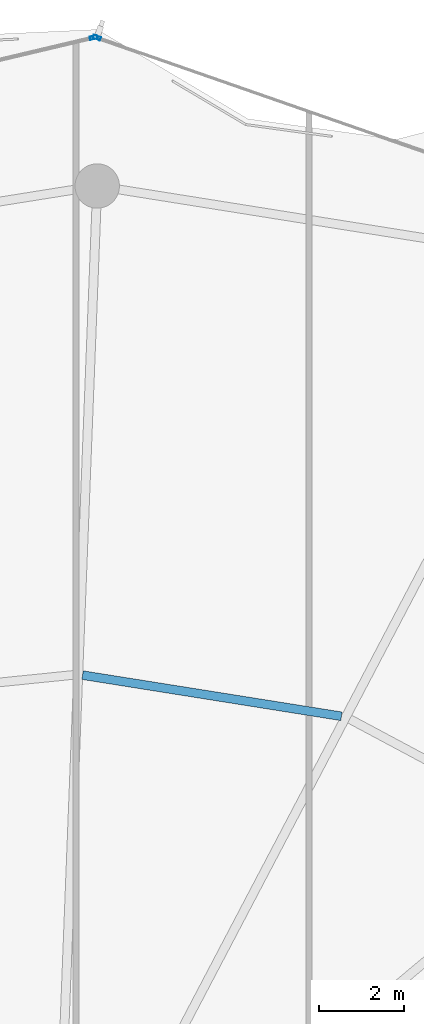
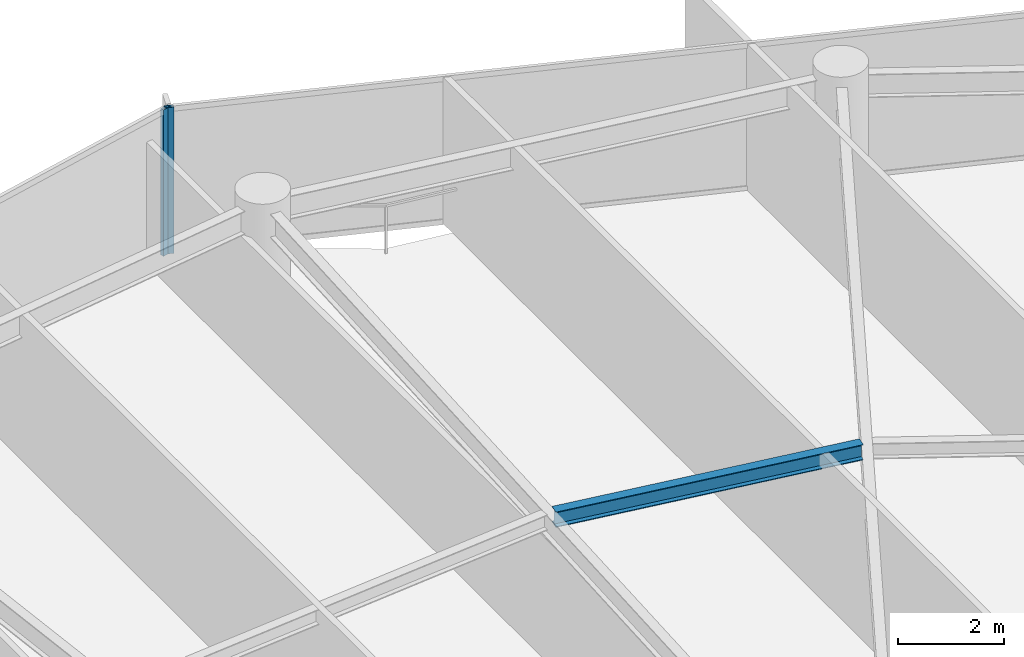
# One storey, part 19 of 29: 2 members, 1 beam, 2 elements without a shape of their own.
"""IFC4 building model written with IfcOpenShell, lengths in metres."""

from ifc_helpers import new_model, si_unit, direction, frame, origin, origin_2d, place, context, subcontext, project, spatial, hollow_rectangle, i_section, extrude, material, layer, layer_set, material_profile, profile_set, type_object, element, aggregate, save


model = new_model("IFC4")

# Units and contexts
model_context = context("Model", 3, precision=1e-05, world=origin(), true_north=direction((0.0, 1.0)))
body_context = subcontext(model_context, "Body", "Model", "MODEL_VIEW")
ifc_project = project(units=[si_unit("LENGTHUNIT", "METRE"), si_unit("AREAUNIT", "SQUARE_METRE"), si_unit("VOLUMEUNIT", "CUBIC_METRE"), si_unit("PLANEANGLEUNIT", "RADIAN"), si_unit("MASSUNIT", "GRAM", prefix="KILO")], contexts=[model_context])

# Site, building, storey
site_placement = place(None, origin())
site = spatial("IfcSite", under=ifc_project, at=site_placement, CompositionType="ELEMENT")
building_placement = place(site_placement, origin())
building = spatial("IfcBuilding", under=site, at=building_placement, Name="Kazevale Care Tower and Concert Hall", CompositionType="ELEMENT")
storey_placement = place(building_placement, frame((0.0, 0.0, 213.60009765625)))
storey = spatial("IfcBuildingStorey", under=building, at=storey_placement, Name="L56", CompositionType="ELEMENT", Elevation=213.60009765625)

# Curtain wall, member
ifc_material_1 = material(Name="Aluminium 6063-T6 and Low-E Glass", Category="aluminium")
ifc_layer_1 = layer(ifc_material_1, 0.179931640625)
ifc_layer_set_1 = layer_set([ifc_layer_1], Name="Aluminium 6063-T6 and Low-E Glass")
curtain_wall_type_1 = type_object("IfcCurtainWallType", Name="Convex Checkerboard Finned Curtain Wall CW-2", PredefinedType="NOTDEFINED", material=ifc_layer_set_1)
curtain_wall_1_placement = place(storey_placement, origin())
curtain_wall_1 = element("IfcCurtainWall", 1, at=curtain_wall_1_placement, inside=storey, type_object=curtain_wall_type_1, Name="cw:L56:f16", PredefinedType="NOTDEFINED")
ifc_material_2 = material(Name="Aluminium 6063-T6", Category="aluminium")
ifc_material_profile_1 = material_profile(ifc_material_2, hollow_rectangle(XDim=0.080078125, YDim=0.179931640625, WallThickness=0.0048828125, at=origin_2d()), Name="ALU80x180x5")
ifc_profile_set_1 = profile_set([ifc_material_profile_1], Name="Aluminium 6063-T6")
member_type_1 = type_object("IfcMemberType", Name="CW-2 Mullion ALU80x180x5", PredefinedType="MULLION", material=ifc_profile_set_1)
member_1_placement = place(storey_placement, frame((44.99169921875, 65.554931640625, 0.0), z_axis=(0.0, 0.0, 1.0), x_axis=(0.328583704497, 0.94447485363, 0.0)))
member_1 = element("IfcMember", 2, at=member_1_placement, type_object=member_type_1, Name="CW-2 mullion 1", PredefinedType="MULLION", context=body_context, shape_type="SweptSolid", body=[
    extrude(hollow_rectangle(XDim=0.080078125, YDim=0.179931640625, WallThickness=0.0048828125, at=origin_2d()), origin(), (0.0, 0.0, 1.0), 3.35986328125),
])
aggregate(curtain_wall_1, [member_1])

ifc_layer_2 = layer(ifc_material_1, 0.179931640625)
ifc_layer_set_2 = layer_set([ifc_layer_2], Name="Aluminium 6063-T6 and Low-E Glass")
curtain_wall_type_2 = type_object("IfcCurtainWallType", Name="Waist & Upper Residential Curtain Wall CW-4", PredefinedType="NOTDEFINED", material=ifc_layer_set_2)
curtain_wall_2_placement = place(storey_placement, origin())
curtain_wall_2 = element("IfcCurtainWall", 3, at=curtain_wall_2_placement, inside=storey, type_object=curtain_wall_type_2, Name="cw:L56:f15", PredefinedType="NOTDEFINED")
ifc_material_profile_2 = material_profile(ifc_material_2, hollow_rectangle(XDim=0.080078125, YDim=0.179931640625, WallThickness=0.0048828125, at=origin_2d()), Name="ALU80x180x5")
ifc_profile_set_2 = profile_set([ifc_material_profile_2], Name="Aluminium 6063-T6")
member_type_2 = type_object("IfcMemberType", Name="CW-4 Mullion ALU80x180x5", PredefinedType="MULLION", material=ifc_profile_set_2)
member_2_placement = place(storey_placement, frame((44.9150390625, 65.558837890625, 0.0), z_axis=(0.0, 0.0, 1.0), x_axis=(-0.230439111929, 0.973086746233, 0.0)))
member_2 = element("IfcMember", 4, at=member_2_placement, type_object=member_type_2, Name="CW-4 mullion 2", PredefinedType="MULLION", context=body_context, shape_type="SweptSolid", body=[
    extrude(hollow_rectangle(XDim=0.080078125, YDim=0.179931640625, WallThickness=0.0048828125, at=origin_2d()), origin(), (0.0, 0.0, 1.0), 3.35986328125),
])
aggregate(curtain_wall_2, [member_2])

# Beam
ifc_material_3 = material(Name="Steel ASTM A572 Gr 50", Category="steel")
ifc_material_profile_3 = material_profile(ifc_material_3, i_section(OverallWidth=0.205078125, OverallDepth=0.35400390625, WebThickness=0.009521484375, FlangeThickness=0.016845703125, at=origin_2d()), Name="W360x79")
ifc_profile_set_3 = profile_set([ifc_material_profile_3], Name="Steel ASTM A572 Gr 50")
beam_type = type_object("IfcBeamType", Name="Secondary Floor Joist W360x79", PredefinedType="JOIST", material=ifc_profile_set_3)
beam_placement = place(storey_placement, frame((50.77099609375, 49.51806640625, 3.182861328125), z_axis=(-0.987586560603, 0.157075731152, 0.0), x_axis=(-0.157075731152, -0.987586560603, 0.0)))
element("IfcBeam", 5, at=beam_placement, inside=storey, type_object=beam_type, Name="beam:L56:joist:04", PredefinedType="JOIST", context=body_context, shape_type="SweptSolid", body=[
    extrude(i_section(OverallWidth=0.205078125, OverallDepth=0.35400390625, WebThickness=0.009521484375, FlangeThickness=0.016845703125, at=origin_2d()), origin(), (0.0, 0.0, 1.0), 6.19384765625),
])

save(model, "model.ifc")
